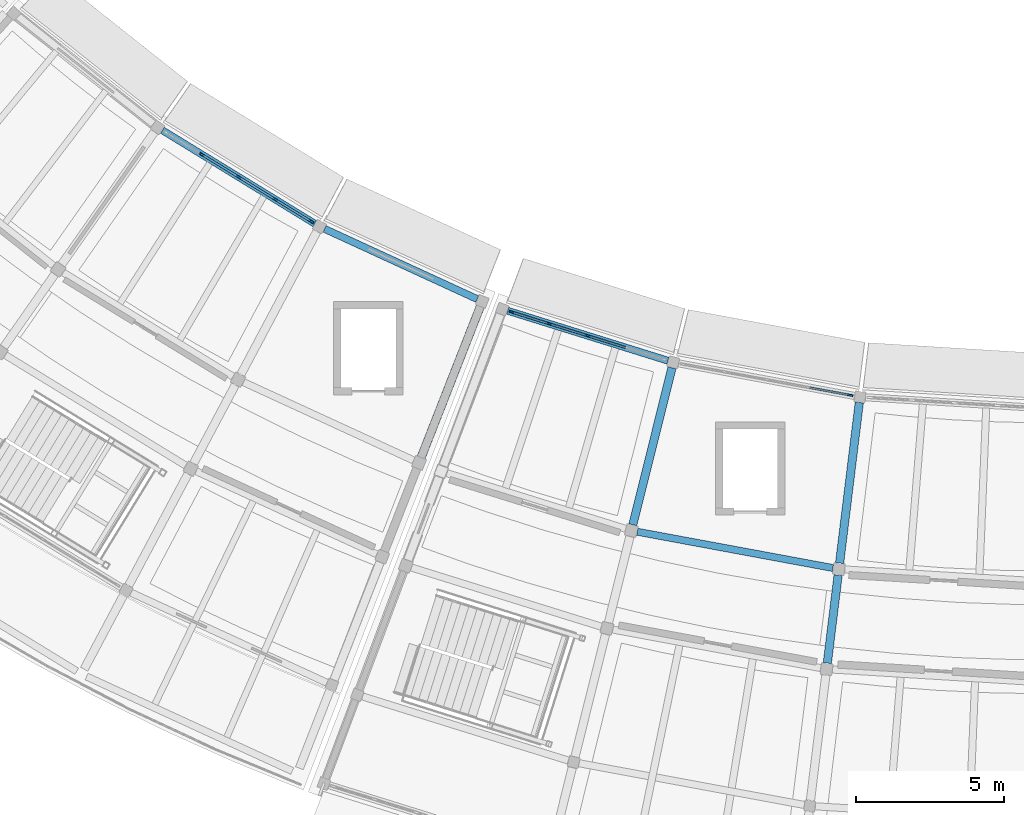
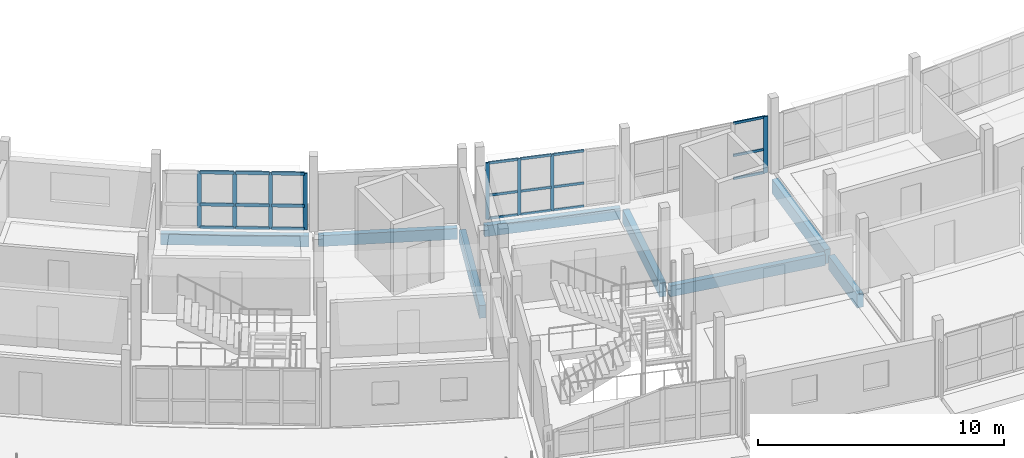
# One storey, part 12 of 36: 29 members, 8 beams, 3 elements without a shape of their own.
"""IFC4 building model written with IfcOpenShell, lengths in metres."""

import ifcopenshell
import ifcopenshell.guid

model = None  # the IFC model being written
_history = None  # IfcOwnerHistory: only IFC2X3 demands one
_inside = {}  # id of a spatial element -> (the spatial element, [elements in it])
_under = {}  # id of a project, library or spatial element -> (it, [spatial elements below it])
_declared = {}  # id of a project -> (the project, [libraries it declares])
_typed = {}  # id of a type object -> (the type object, [elements of that type])
_made_of = {}  # id of a material, layer set ... -> (it, [elements and type objects made of it])


def new_model(schema):
    """Start an empty IFC model of exactly this schema.

    Asked for "IFC4X3", IfcOpenShell would pick the latest addendum, in which some entities
    have other attributes; the version numbers below select the first issue.
    IFC2X3 requires an IfcOwnerHistory on every rooted entity: one is made here for all.
    """
    global model, _history
    if schema == "IFC4X3":
        model = ifcopenshell.file(schema_version=(4, 3, 0, 0))
    else:
        model = ifcopenshell.file(schema=schema)
    _inside.clear()
    _under.clear()
    _declared.clear()
    _typed.clear()
    _made_of.clear()
    _history = None
    if model.schema == "IFC2X3":
        org = make("IfcOrganization", Name="unknown")
        user = make(
            "IfcPersonAndOrganization",
            ThePerson=make("IfcPerson", FamilyName="unknown"),
            TheOrganization=org,
        )
        app = make(
            "IfcApplication",
            ApplicationDeveloper=org,
            Version="unknown",
            ApplicationFullName="unknown",
            ApplicationIdentifier="unknown",
        )
        _history = make(
            "IfcOwnerHistory",
            OwningUser=user,
            OwningApplication=app,
            ChangeAction="ADDED",
            CreationDate=0,
        )
    return model


def make(cls, **values):
    """One entity of the class cls with the attributes given. An attribute that is None is left unset."""
    return model.create_entity(
        cls, **{name: value for name, value in values.items() if value is not None}
    )


def rooted(cls, **values):
    """An entity with a GlobalId (a new one), such as an element, a storey or a relation."""
    return make(cls, GlobalId=ifcopenshell.guid.new(), OwnerHistory=_history, **values)


def si_unit(unit_type, name, prefix=None):
    """IfcSIUnit, for example si_unit("LENGTHUNIT", "METRE", prefix="MILLI")."""
    return make("IfcSIUnit", UnitType=unit_type, Prefix=prefix, Name=name)


def assignment(units):
    """IfcUnitAssignment: the units of a project."""
    return None if units is None else make("IfcUnitAssignment", Units=units)


def point(xyz):
    """IfcCartesianPoint."""
    return None if xyz is None else make("IfcCartesianPoint", Coordinates=xyz)


def direction(xyz):
    """IfcDirection."""
    return None if xyz is None else make("IfcDirection", DirectionRatios=xyz)


def frame(location, z_axis=None, x_axis=None):
    """IfcAxis2Placement3D, a coordinate frame: its origin and axes. An axis left out is left unset."""
    return make(
        "IfcAxis2Placement3D",
        Location=point(location),
        Axis=direction(z_axis),
        RefDirection=direction(x_axis),
    )


def frame_2d(location, x_axis=None):
    """IfcAxis2Placement2D, a coordinate frame in the plane: its origin and x axis."""
    return make(
        "IfcAxis2Placement2D", Location=point(location), RefDirection=direction(x_axis)
    )


def origin():
    """The frame at (0, 0, 0) with its axes left unset."""
    return frame((0.0, 0.0, 0.0))


def origin_2d():
    """The frame at (0, 0) in the plane with its x axis left unset."""
    return frame_2d((0.0, 0.0))


def place(relative_to, where):
    """IfcLocalPlacement: puts the frame where relative to a parent placement (None: the world)."""
    return make(
        "IfcLocalPlacement", PlacementRelTo=relative_to, RelativePlacement=where
    )


def context(
    kind, dimensions, precision=None, world=None, true_north=None, identifier=None
):
    """IfcGeometricRepresentationContext, for example the 3D "Model" context."""
    return make(
        "IfcGeometricRepresentationContext",
        ContextIdentifier=identifier,
        ContextType=kind,
        CoordinateSpaceDimension=dimensions,
        Precision=precision,
        WorldCoordinateSystem=world,
        TrueNorth=true_north,
    )


def subcontext(parent, identifier, kind, view, scale=None):
    """IfcGeometricRepresentationSubContext, for example "Body" below "Model"."""
    return make(
        "IfcGeometricRepresentationSubContext",
        ContextIdentifier=identifier,
        ContextType=kind,
        ParentContext=parent,
        TargetScale=scale,
        TargetView=view,
    )


def project(units=None, contexts=None):
    """IfcProject with its units and contexts."""
    return rooted(
        "IfcProject",
        Name="project",
        RepresentationContexts=contexts,
        UnitsInContext=assignment(units),
    )


def spatial(cls, under=None, at=None, **own):
    """A site, building, storey or space (cls), placed at a placement, below another one or the project."""
    s = rooted(cls, ObjectPlacement=at, **own)
    if under is not None:
        _under.setdefault(under.id(), (under, []))[1].append(s)
    return s


def profile(cls, at=None, kind="AREA", **sizes):
    """A parametric profile (cls). Its sizes go by their IFC names, for example OverallWidth=200.0."""
    return make(cls, ProfileType=kind, Position=at, **sizes)


def rectangle(**sizes):
    """IfcRectangleProfileDef."""
    return profile("IfcRectangleProfileDef", **sizes)


def extrude(swept, where, along, depth):
    """IfcExtrudedAreaSolid: the profile swept, set in the frame where, extruded along a direction by depth."""
    return make(
        "IfcExtrudedAreaSolid",
        SweptArea=swept,
        Position=where,
        ExtrudedDirection=direction(along),
        Depth=depth,
    )


def shape(context_of_items, identifier, shape_type, items):
    """IfcShapeRepresentation: the items that make up one representation, for example the "Body"."""
    return make(
        "IfcShapeRepresentation",
        ContextOfItems=context_of_items,
        RepresentationIdentifier=identifier,
        RepresentationType=shape_type,
        Items=items,
    )


def material(Name=None, Category=None):
    """IfcMaterial."""
    return make("IfcMaterial", Name=Name, Category=Category)


def layer(
    of_material, thickness, ventilated=None, Name=None, Category=None, Priority=None
):
    """IfcMaterialLayer: one layer of a wall or slab, of a material (None: an air gap)."""
    return make(
        "IfcMaterialLayer",
        Material=of_material,
        LayerThickness=thickness,
        IsVentilated=ventilated,
        Name=Name,
        Category=Category,
        Priority=Priority,
    )


def layer_set(layers, Name=None):
    """IfcMaterialLayerSet."""
    return make("IfcMaterialLayerSet", MaterialLayers=layers, LayerSetName=Name)


def material_profile(
    of_material, cross_section, Name=None, Category=None, Priority=None
):
    """IfcMaterialProfile: a cross section and its material."""
    return make(
        "IfcMaterialProfile",
        Name=Name,
        Material=of_material,
        Profile=cross_section,
        Priority=Priority,
        Category=Category,
    )


def profile_set(profiles, Name=None, composite=None):
    """IfcMaterialProfileSet."""
    return make(
        "IfcMaterialProfileSet",
        Name=Name,
        MaterialProfiles=profiles,
        CompositeProfile=composite,
    )


def made_of(thing, what):
    """Note that an element or type object is made of a material, layer set ...; save() writes the relation."""
    if what is not None:
        _made_of.setdefault(what.id(), (what, []))[1].append(thing)
    return thing


def type_object(cls, material=None, **own):
    """A type object (cls), such as IfcWallType, which elements share."""
    return made_of(rooted(cls, **own), material)


def element(
    cls,
    number,
    at=None,
    inside=None,
    cuts=None,
    type_object=None,
    material=None,
    context=None,
    identifier="Body",
    shape_type=None,
    held_by="IfcProductDefinitionShape",
    body=None,
    shapes=None,
    **own,
):
    """One element of the class cls, such as IfcWall. Its Tag is "e" and its number.

    at: its placement. inside: the storey or other place that contains it. cuts: it is an
    opening in that element (IfcRelVoidsElement). A single representation is given by context,
    identifier, shape_type and body (its items); several are given by shapes. held_by: the class
    of the entity that holds the representations. save() writes the other relations.
    """
    e = rooted(cls, Tag="e%d" % number, ObjectPlacement=at, **own)
    if body is not None:
        shapes = [shape(context, identifier, shape_type, body)]
    if shapes is not None:
        e.Representation = make(held_by, Representations=shapes)
    if inside is not None:
        _inside.setdefault(inside.id(), (inside, []))[1].append(e)
    if cuts is not None:
        rooted(
            "IfcRelVoidsElement", RelatingBuildingElement=cuts, RelatedOpeningElement=e
        )
    if type_object is not None:
        _typed.setdefault(type_object.id(), (type_object, []))[1].append(e)
    return made_of(e, material)


def aggregate(whole, parts):
    """IfcRelAggregates: a whole, such as a stair, and the parts it consists of."""
    return rooted("IfcRelAggregates", RelatingObject=whole, RelatedObjects=parts)


def save(model, path):
    """Write the relations noted so far, then the file.

    IfcRelAggregates (storeys below a building ...), IfcRelContainedInSpatialStructure (elements
    in a storey), IfcRelDefinesByType, IfcRelAssociatesMaterial and IfcRelDeclares: one each for
    every whole, place, type object, material and project.
    """
    for whole, parts in _under.values():
        aggregate(whole, parts)
    for where, things in _inside.values():
        rooted(
            "IfcRelContainedInSpatialStructure",
            RelatedElements=things,
            RelatingStructure=where,
        )
    for kind, things in _typed.values():
        rooted("IfcRelDefinesByType", RelatedObjects=things, RelatingType=kind)
    for what, things in _made_of.values():
        rooted("IfcRelAssociatesMaterial", RelatedObjects=things, RelatingMaterial=what)
    for by, libraries in _declared.values():
        rooted("IfcRelDeclares", RelatingContext=by, RelatedDefinitions=libraries)
    model.write(path)


model = new_model("IFC4")

# Units and contexts
model_context = context("Model", 3, precision=1e-05, world=origin(), true_north=direction((0.0, 1.0)))
body_context = subcontext(model_context, "Body", "Model", "MODEL_VIEW")
ifc_project = project(units=[si_unit("LENGTHUNIT", "METRE"), si_unit("AREAUNIT", "SQUARE_METRE"), si_unit("VOLUMEUNIT", "CUBIC_METRE"), si_unit("PLANEANGLEUNIT", "RADIAN"), si_unit("MASSUNIT", "GRAM", prefix="KILO")], contexts=[model_context])

# Site, building, storey
site_placement = place(None, origin())
site = spatial("IfcSite", under=ifc_project, at=site_placement, CompositionType="ELEMENT")
building_placement = place(site_placement, origin())
building = spatial("IfcBuilding", under=site, at=building_placement, Name="Caldaven Crescent School", CompositionType="ELEMENT")
storey_placement = place(building_placement, frame((0.0, 0.0, 11.89990234375)))
storey = spatial("IfcBuildingStorey", under=building, at=storey_placement, Name="L03", CompositionType="ELEMENT", Elevation=11.89990234375)

# Beams
ifc_material_1 = material(Name="Glulam MLE24h (GL28h)", Category="wood")
ifc_material_profile_1 = material_profile(ifc_material_1, rectangle(XDim=0.239990234375, YDim=0.5400390625, at=origin_2d()), Name="MLE 240x540")
ifc_profile_set_1 = profile_set([ifc_material_profile_1], Name="Glulam MLE24h (GL28h)")
beam_type_1 = type_object("IfcBeamType", Name="BM-GL54", PredefinedType="BEAM", material=ifc_profile_set_1)
beam_1_placement = place(storey_placement, frame((74.097412109375, 39.394287109375, -0.52001953125), z_axis=(0.983256896328, -0.182224794756, 0.0), x_axis=(0.182224794756, 0.983256896328, 0.0)))
element("IfcBeam", 1, at=beam_1_placement, inside=storey, type_object=beam_type_1, Name="BMT-V5-L03-1428", PredefinedType="BEAM", context=body_context, shape_type="SweptSolid", body=[
    extrude(rectangle(XDim=0.239990234375, YDim=0.5400390625, at=origin_2d()), origin(), (0.0, 0.0, 1.0), 6.708251953125),
])
ifc_material_profile_2 = material_profile(ifc_material_1, rectangle(XDim=0.280029296875, YDim=0.6298828125, at=origin_2d()), Name="MLE 280x630")
ifc_profile_set_2 = profile_set([ifc_material_profile_2], Name="Glulam MLE24h (GL28h)")
beam_type_2 = type_object("IfcBeamType", Name="BM-GL63", PredefinedType="BEAM", material=ifc_profile_set_2)
beam_2_placement = place(storey_placement, frame((68.797607421875, 46.9873046875, -0.56494140625), z_axis=(-0.364799249955, -0.931086197531, 0.0), x_axis=(0.931086197531, -0.364799249955, 0.0)))
element("IfcBeam", 2, at=beam_2_placement, inside=storey, type_object=beam_type_2, Name="BMR-V4W-L03-1356", PredefinedType="BEAM", context=body_context, shape_type="SweptSolid", body=[
    extrude(rectangle(XDim=0.280029296875, YDim=0.6298828125, at=origin_2d()), origin(), (0.0, 0.0, 1.0), 5.455078125),
])
ifc_material_profile_3 = material_profile(ifc_material_1, rectangle(XDim=0.280029296875, YDim=0.68994140625, at=origin_2d()), Name="MLE 280x690")
ifc_profile_set_3 = profile_set([ifc_material_profile_3], Name="Glulam MLE24h (GL28h)")
beam_type_3 = type_object("IfcBeamType", Name="BM-GL69", PredefinedType="BEAM", material=ifc_profile_set_3)
for number, where, z_axis, x_axis, name in (
    (3, (75.26513671875, 44.923583984375, -0.594970703125), (-0.241903730583, -0.970300255143, 0.0), (0.970300255143, -0.241903730583, 0.0), "BMR-V5-L03-1396"),
    (4, (81.584716796875, 43.75244140625, -0.594970703125), (-0.121869642909, -0.992546114867, 0.0), (0.992546114867, -0.121869642909, 0.0), "BMR-V5-L03-1400"),
):
    element("IfcBeam", number, at=place(storey_placement, frame(where, z_axis=z_axis, x_axis=x_axis)), inside=storey, type_object=beam_type_3, Name=name, PredefinedType="BEAM", context=body_context, shape_type="SweptSolid", body=[
        extrude(rectangle(XDim=0.280029296875, YDim=0.68994140625, at=origin_2d()), origin(), (0.0, 0.0, 1.0), 5.455078125),
    ])
beam_3_placement = place(storey_placement, frame((80.8701171875, 37.93115234375, -0.594970703125), z_axis=(-0.121904002134, -0.99254189547, 0.0), x_axis=(0.99254189547, -0.121904002134, 0.0)))
element("IfcBeam", 5, at=beam_3_placement, inside=storey, type_object=beam_type_3, Name="BMR-V5-L03-1401", PredefinedType="BEAM", context=body_context, shape_type="SweptSolid", body=[
    extrude(rectangle(XDim=0.280029296875, YDim=0.68994140625, at=origin_2d()), origin(), (0.0, 0.0, 1.0), 2.989990234375),
])

# Curtain wall, members
ifc_material_2 = material(Name="Anodised aluminium AA 6063-T6 and low-E double glazing", Category="aluminium")
ifc_layer_1 = layer(ifc_material_2, 0.2099609375)
ifc_layer_set_1 = layer_set([ifc_layer_1], Name="Anodised aluminium AA 6063-T6 and low-E double glazing")
curtain_wall_type_1 = type_object("IfcCurtainWallType", Name="CW-SYS3", PredefinedType="NOTDEFINED", material=ifc_layer_set_1)
curtain_wall_1_placement = place(storey_placement, origin())
curtain_wall_1 = element("IfcCurtainWall", 6, at=curtain_wall_1_placement, inside=storey, type_object=curtain_wall_type_1, Name="CW-L03-155", PredefinedType="NOTDEFINED")
ifc_material_3 = material(Name="Anodised aluminium AA 6063-T6", Category="aluminium")
ifc_material_profile_4 = material_profile(ifc_material_3, rectangle(XDim=0.06005859375, YDim=0.14990234375, at=origin_2d()), Name="CWM 60x150")
ifc_profile_set_4 = profile_set([ifc_material_profile_4], Name="Anodised aluminium AA 6063-T6")
member_type_1 = type_object("IfcMemberType", Name="CWM-T1", PredefinedType="MULLION", material=ifc_profile_set_4)
member_1_placement = place(storey_placement, frame((69.856201171875, 46.807373046875, 0.0), z_axis=(0.0, 0.0, 1.0), x_axis=(0.297419758694, 0.954746818344, 0.0)))
member_1 = element("IfcMember", 7, at=member_1_placement, type_object=member_type_1, Name="CW3 mullion 1", PredefinedType="MULLION", context=body_context, shape_type="SweptSolid", body=[
    extrude(rectangle(XDim=0.06005859375, YDim=0.14990234375, at=origin_2d()), origin(), (0.0, 0.0, 1.0), 2.800048828125),
])
member_2_placement = place(storey_placement, frame((71.126953125, 46.411376953125, 0.0), z_axis=(0.0, 0.0, 1.0), x_axis=(0.297419758694, 0.954746818344, 0.0)))
member_2 = element("IfcMember", 8, at=member_2_placement, type_object=member_type_1, Name="CW3 mullion 2", PredefinedType="MULLION", context=body_context, shape_type="SweptSolid", body=[
    extrude(rectangle(XDim=0.06005859375, YDim=0.14990234375, at=origin_2d()), origin(), (0.0, 0.0, 1.0), 2.800048828125),
])
member_3_placement = place(storey_placement, frame((72.42626953125, 46.0068359375, 0.0), z_axis=(0.0, 0.0, 1.0), x_axis=(0.297419758694, 0.954746818344, 0.0)))
member_3 = element("IfcMember", 9, at=member_3_placement, type_object=member_type_1, Name="CW3 mullion 3", PredefinedType="MULLION", context=body_context, shape_type="SweptSolid", body=[
    extrude(rectangle(XDim=0.06005859375, YDim=0.14990234375, at=origin_2d()), origin(), (0.0, 0.0, 1.0), 2.800048828125),
])

ifc_layer_2 = layer(ifc_material_2, 0.169921875)
ifc_layer_set_2 = layer_set([ifc_layer_2], Name="Anodised aluminium AA 6063-T6 and low-E double glazing")
curtain_wall_type_2 = type_object("IfcCurtainWallType", Name="CW-SYS1", PredefinedType="NOTDEFINED", material=ifc_layer_set_2)
curtain_wall_2_placement = place(storey_placement, origin())
curtain_wall_2 = element("IfcCurtainWall", 10, at=curtain_wall_2_placement, inside=storey, type_object=curtain_wall_type_2, Name="CW-L03-153", PredefinedType="NOTDEFINED")
ifc_material_profile_5 = material_profile(ifc_material_3, rectangle(XDim=0.06494140625, YDim=0.179931640625, at=origin_2d()), Name="CWM 65x180")
ifc_profile_set_5 = profile_set([ifc_material_profile_5], Name="Anodised aluminium AA 6063-T6")
member_type_2 = type_object("IfcMemberType", Name="CWM-T2", PredefinedType="MULLION", material=ifc_profile_set_5)
member_4_placement = place(storey_placement, frame((59.408935546875, 52.12060546875, 0.0), z_axis=(0.0, 0.0, 1.0), x_axis=(0.522499392879, 0.852639656854, 0.0)))
member_4 = element("IfcMember", 11, at=member_4_placement, type_object=member_type_2, Name="CW1 mullion 2", PredefinedType="MULLION", context=body_context, shape_type="SweptSolid", body=[
    extrude(rectangle(XDim=0.06494140625, YDim=0.179931640625, at=origin_2d()), origin(), (0.0, 0.0, 1.0), 2.800048828125),
])
member_5_placement = place(storey_placement, frame((60.64599609375, 51.362548828125, 0.0), z_axis=(0.0, 0.0, 1.0), x_axis=(0.522499392879, 0.852639656854, 0.0)))
member_5 = element("IfcMember", 12, at=member_5_placement, type_object=member_type_2, Name="CW1 mullion 3", PredefinedType="MULLION", context=body_context, shape_type="SweptSolid", body=[
    extrude(rectangle(XDim=0.06494140625, YDim=0.179931640625, at=origin_2d()), origin(), (0.0, 0.0, 1.0), 2.800048828125),
])
member_6_placement = place(storey_placement, frame((61.88330078125, 50.604248046875, 0.0), z_axis=(0.0, 0.0, 1.0), x_axis=(0.522499392879, 0.852639656854, 0.0)))
member_6 = element("IfcMember", 13, at=member_6_placement, type_object=member_type_2, Name="CW1 mullion 4", PredefinedType="MULLION", context=body_context, shape_type="SweptSolid", body=[
    extrude(rectangle(XDim=0.06494140625, YDim=0.179931640625, at=origin_2d()), origin(), (0.0, 0.0, 1.0), 2.800048828125),
])
member_7_placement = place(storey_placement, frame((63.0927734375, 49.863037109375, 0.0), z_axis=(0.0, 0.0, 1.0), x_axis=(0.522499392879, 0.852639656854, 0.0)))
member_7 = element("IfcMember", 14, at=member_7_placement, type_object=member_type_2, Name="CW1 mullion 5", PredefinedType="MULLION", context=body_context, shape_type="SweptSolid", body=[
    extrude(rectangle(XDim=0.06494140625, YDim=0.179931640625, at=origin_2d()), origin(), (0.0, 0.0, 1.0), 2.800048828125),
])

# Curtain wall, member
ifc_layer_3 = layer(ifc_material_2, 0.22998046875)
ifc_layer_set_3 = layer_set([ifc_layer_3], Name="Anodised aluminium AA 6063-T6 and low-E double glazing")
curtain_wall_type_3 = type_object("IfcCurtainWallType", Name="CW-SYS4", PredefinedType="NOTDEFINED", material=ifc_layer_set_3)
curtain_wall_3_placement = place(storey_placement, origin())
curtain_wall_3 = element("IfcCurtainWall", 15, at=curtain_wall_3_placement, inside=storey, type_object=curtain_wall_type_3, Name="CW-L03-157", PredefinedType="NOTDEFINED")
member_8_placement = place(storey_placement, frame((81.281005859375, 44.00146484375, 0.0), z_axis=(0.0, 0.0, 1.0), x_axis=(0.182236405836, 0.983254744401, 0.0)))
member_8 = element("IfcMember", 16, at=member_8_placement, type_object=member_type_2, Name="CW4 mullion 5", PredefinedType="MULLION", context=body_context, shape_type="SweptSolid", body=[
    extrude(rectangle(XDim=0.06494140625, YDim=0.179931640625, at=origin_2d()), origin(), (0.0, 0.0, 1.0), 2.800048828125),
])

# Member
ifc_material_profile_6 = material_profile(ifc_material_3, rectangle(XDim=0.06005859375, YDim=0.1201171875, at=origin_2d()), Name="CWT 60x120")
ifc_profile_set_6 = profile_set([ifc_material_profile_6], Name="Anodised aluminium AA 6063-T6")
member_type_3 = type_object("IfcMemberType", Name="CWT-T1", PredefinedType="USERDEFINED", material=ifc_profile_set_6)
member_9_placement = place(storey_placement, frame((69.885009765625, 46.79833984375, 0.030029296875), z_axis=(0.954742858381, -0.29743247027, 0.0), x_axis=(0.29743247027, 0.954742858381, 0.0)))
member_9 = element("IfcMember", 17, at=member_9_placement, type_object=member_type_3, Name="CW3 transom 1.1", ObjectType="TRANSOM", PredefinedType="USERDEFINED", context=body_context, shape_type="SweptSolid", body=[
    extrude(rectangle(XDim=0.06005859375, YDim=0.1201171875, at=origin_2d()), origin(), (0.0, 0.0, 1.0), 1.270751953125),
])

member_10_placement = place(storey_placement, frame((69.885009765625, 46.79833984375, 1.176025390625), z_axis=(0.954742858381, -0.29743247027, 0.0), x_axis=(0.29743247027, 0.954742858381, 0.0)))
member_10 = element("IfcMember", 18, at=member_10_placement, type_object=member_type_3, Name="CW3 transom 1.2", ObjectType="TRANSOM", PredefinedType="USERDEFINED", context=body_context, shape_type="SweptSolid", body=[
    extrude(rectangle(XDim=0.06005859375, YDim=0.1201171875, at=origin_2d()), origin(), (0.0, 0.0, 1.0), 1.270751953125),
])

member_11_placement = place(storey_placement, frame((69.885009765625, 46.79833984375, 2.77001953125), z_axis=(0.954742858381, -0.29743247027, 0.0), x_axis=(0.29743247027, 0.954742858381, 0.0)))
member_11 = element("IfcMember", 19, at=member_11_placement, type_object=member_type_3, Name="CW3 transom 1.3", ObjectType="TRANSOM", PredefinedType="USERDEFINED", context=body_context, shape_type="SweptSolid", body=[
    extrude(rectangle(XDim=0.06005859375, YDim=0.1201171875, at=origin_2d()), origin(), (0.0, 0.0, 1.0), 1.270751953125),
])

member_12_placement = place(storey_placement, frame((71.155517578125, 46.402587890625, 0.030029296875), z_axis=(0.954730104674, -0.297473405919, 0.0), x_axis=(0.297473405919, 0.954730104674, 0.0)))
member_12 = element("IfcMember", 20, at=member_12_placement, type_object=member_type_3, Name="CW3 transom 2.1", ObjectType="TRANSOM", PredefinedType="USERDEFINED", context=body_context, shape_type="SweptSolid", body=[
    extrude(rectangle(XDim=0.06005859375, YDim=0.1201171875, at=origin_2d()), origin(), (0.0, 0.0, 1.0), 1.30078125),
])

member_13_placement = place(storey_placement, frame((71.155517578125, 46.402587890625, 1.176025390625), z_axis=(0.954730104674, -0.297473405919, 0.0), x_axis=(0.297473405919, 0.954730104674, 0.0)))
member_13 = element("IfcMember", 21, at=member_13_placement, type_object=member_type_3, Name="CW3 transom 2.2", ObjectType="TRANSOM", PredefinedType="USERDEFINED", context=body_context, shape_type="SweptSolid", body=[
    extrude(rectangle(XDim=0.06005859375, YDim=0.1201171875, at=origin_2d()), origin(), (0.0, 0.0, 1.0), 1.30078125),
])

member_14_placement = place(storey_placement, frame((71.155517578125, 46.402587890625, 2.77001953125), z_axis=(0.954730104674, -0.297473405919, 0.0), x_axis=(0.297473405919, 0.954730104674, 0.0)))
member_14 = element("IfcMember", 22, at=member_14_placement, type_object=member_type_3, Name="CW3 transom 2.3", ObjectType="TRANSOM", PredefinedType="USERDEFINED", context=body_context, shape_type="SweptSolid", body=[
    extrude(rectangle(XDim=0.06005859375, YDim=0.1201171875, at=origin_2d()), origin(), (0.0, 0.0, 1.0), 1.30078125),
])

member_15_placement = place(storey_placement, frame((72.454833984375, 45.997802734375, 0.030029296875), z_axis=(0.954730104674, -0.297473405919, 0.0), x_axis=(0.297473405919, 0.954730104674, 0.0)))
member_15 = element("IfcMember", 23, at=member_15_placement, type_object=member_type_3, Name="CW3 transom 3.1", ObjectType="TRANSOM", PredefinedType="USERDEFINED", context=body_context, shape_type="SweptSolid", body=[
    extrude(rectangle(XDim=0.06005859375, YDim=0.1201171875, at=origin_2d()), origin(), (0.0, 0.0, 1.0), 1.30078125),
])

member_16_placement = place(storey_placement, frame((72.454833984375, 45.997802734375, 1.176025390625), z_axis=(0.954730104674, -0.297473405919, 0.0), x_axis=(0.297473405919, 0.954730104674, 0.0)))
member_16 = element("IfcMember", 24, at=member_16_placement, type_object=member_type_3, Name="CW3 transom 3.2", ObjectType="TRANSOM", PredefinedType="USERDEFINED", context=body_context, shape_type="SweptSolid", body=[
    extrude(rectangle(XDim=0.06005859375, YDim=0.1201171875, at=origin_2d()), origin(), (0.0, 0.0, 1.0), 1.30078125),
])

member_17_placement = place(storey_placement, frame((72.454833984375, 45.997802734375, 2.77001953125), z_axis=(0.954730104674, -0.297473405919, 0.0), x_axis=(0.297473405919, 0.954730104674, 0.0)))
member_17 = element("IfcMember", 25, at=member_17_placement, type_object=member_type_3, Name="CW3 transom 3.3", ObjectType="TRANSOM", PredefinedType="USERDEFINED", context=body_context, shape_type="SweptSolid", body=[
    extrude(rectangle(XDim=0.06005859375, YDim=0.1201171875, at=origin_2d()), origin(), (0.0, 0.0, 1.0), 1.30078125),
])

aggregate(curtain_wall_1, [member_1, member_2, member_3, member_9, member_10, member_11, member_12, member_13, member_14, member_15, member_16, member_17])

member_18_placement = place(storey_placement, frame((79.918212890625, 44.254150390625, 0.030029296875), z_axis=(0.983264057672, -0.182186149009, 0.0), x_axis=(0.182186149009, 0.983264057672, 0.0)))
member_18 = element("IfcMember", 26, at=member_18_placement, type_object=member_type_3, Name="CW4 transom 4.1", ObjectType="TRANSOM", PredefinedType="USERDEFINED", context=body_context, shape_type="SweptSolid", body=[
    extrude(rectangle(XDim=0.06005859375, YDim=0.1201171875, at=origin_2d()), origin(), (0.0, 0.0, 1.0), 1.353515625),
])

member_19_placement = place(storey_placement, frame((79.918212890625, 44.254150390625, 1.176025390625), z_axis=(0.983264057672, -0.182186149009, 0.0), x_axis=(0.182186149009, 0.983264057672, 0.0)))
member_19 = element("IfcMember", 27, at=member_19_placement, type_object=member_type_3, Name="CW4 transom 4.2", ObjectType="TRANSOM", PredefinedType="USERDEFINED", context=body_context, shape_type="SweptSolid", body=[
    extrude(rectangle(XDim=0.06005859375, YDim=0.1201171875, at=origin_2d()), origin(), (0.0, 0.0, 1.0), 1.353515625),
])

member_20_placement = place(storey_placement, frame((79.918212890625, 44.254150390625, 2.77001953125), z_axis=(0.983264057672, -0.182186149009, 0.0), x_axis=(0.182186149009, 0.983264057672, 0.0)))
member_20 = element("IfcMember", 28, at=member_20_placement, type_object=member_type_3, Name="CW4 transom 4.3", ObjectType="TRANSOM", PredefinedType="USERDEFINED", context=body_context, shape_type="SweptSolid", body=[
    extrude(rectangle(XDim=0.06005859375, YDim=0.1201171875, at=origin_2d()), origin(), (0.0, 0.0, 1.0), 1.353515625),
])

aggregate(curtain_wall_3, [member_8, member_18, member_19, member_20])

ifc_material_profile_7 = material_profile(ifc_material_3, rectangle(XDim=0.070068359375, YDim=0.159912109375, at=origin_2d()), Name="CWT 70x160")
ifc_profile_set_7 = profile_set([ifc_material_profile_7], Name="Anodised aluminium AA 6063-T6")
member_type_4 = type_object("IfcMemberType", Name="CWT-T3", PredefinedType="USERDEFINED", material=ifc_profile_set_7)
member_21_placement = place(storey_placement, frame((59.4365234375, 52.103515625, 0.03515625), z_axis=(0.852684780563, -0.522425750702, 0.0), x_axis=(0.522425750702, 0.852684780563, 0.0)))
member_21 = element("IfcMember", 29, at=member_21_placement, type_object=member_type_4, Name="CW1 transom 2.1", ObjectType="TRANSOM", PredefinedType="USERDEFINED", context=body_context, shape_type="SweptSolid", body=[
    extrude(rectangle(XDim=0.070068359375, YDim=0.159912109375, at=origin_2d()), origin(), (0.0, 0.0, 1.0), 1.385986328125),
])

member_22_placement = place(storey_placement, frame((59.4365234375, 52.103515625, 1.176025390625), z_axis=(0.852684780563, -0.522425750702, 0.0), x_axis=(0.522425750702, 0.852684780563, 0.0)))
member_22 = element("IfcMember", 30, at=member_22_placement, type_object=member_type_4, Name="CW1 transom 2.2", ObjectType="TRANSOM", PredefinedType="USERDEFINED", context=body_context, shape_type="SweptSolid", body=[
    extrude(rectangle(XDim=0.070068359375, YDim=0.159912109375, at=origin_2d()), origin(), (0.0, 0.0, 1.0), 1.385986328125),
])

member_23_placement = place(storey_placement, frame((59.4365234375, 52.103515625, 2.76513671875), z_axis=(0.852684780563, -0.522425750702, 0.0), x_axis=(0.522425750702, 0.852684780563, 0.0)))
member_23 = element("IfcMember", 31, at=member_23_placement, type_object=member_type_4, Name="CW1 transom 2.3", ObjectType="TRANSOM", PredefinedType="USERDEFINED", context=body_context, shape_type="SweptSolid", body=[
    extrude(rectangle(XDim=0.070068359375, YDim=0.159912109375, at=origin_2d()), origin(), (0.0, 0.0, 1.0), 1.385986328125),
])

member_24_placement = place(storey_placement, frame((60.673828125, 51.345458984375, 0.03515625), z_axis=(0.852636696581, -0.522504223566, 0.0), x_axis=(0.522504223566, 0.852636696581, 0.0)))
member_24 = element("IfcMember", 32, at=member_24_placement, type_object=member_type_4, Name="CW1 transom 3.1", ObjectType="TRANSOM", PredefinedType="USERDEFINED", context=body_context, shape_type="SweptSolid", body=[
    extrude(rectangle(XDim=0.070068359375, YDim=0.159912109375, at=origin_2d()), origin(), (0.0, 0.0, 1.0), 1.385986328125),
])

member_25_placement = place(storey_placement, frame((60.673828125, 51.345458984375, 1.176025390625), z_axis=(0.852636696581, -0.522504223566, 0.0), x_axis=(0.522504223566, 0.852636696581, 0.0)))
member_25 = element("IfcMember", 33, at=member_25_placement, type_object=member_type_4, Name="CW1 transom 3.2", ObjectType="TRANSOM", PredefinedType="USERDEFINED", context=body_context, shape_type="SweptSolid", body=[
    extrude(rectangle(XDim=0.070068359375, YDim=0.159912109375, at=origin_2d()), origin(), (0.0, 0.0, 1.0), 1.385986328125),
])

member_26_placement = place(storey_placement, frame((60.673828125, 51.345458984375, 2.76513671875), z_axis=(0.852636696581, -0.522504223566, 0.0), x_axis=(0.522504223566, 0.852636696581, 0.0)))
member_26 = element("IfcMember", 34, at=member_26_placement, type_object=member_type_4, Name="CW1 transom 3.3", ObjectType="TRANSOM", PredefinedType="USERDEFINED", context=body_context, shape_type="SweptSolid", body=[
    extrude(rectangle(XDim=0.070068359375, YDim=0.159912109375, at=origin_2d()), origin(), (0.0, 0.0, 1.0), 1.385986328125),
])

member_27_placement = place(storey_placement, frame((61.910888671875, 50.58740234375, 0.03515625), z_axis=(0.852616806019, -0.522536680143, 0.0), x_axis=(0.522536680143, 0.852616806019, 0.0)))
member_27 = element("IfcMember", 35, at=member_27_placement, type_object=member_type_4, Name="CW1 transom 4.1", ObjectType="TRANSOM", PredefinedType="USERDEFINED", context=body_context, shape_type="SweptSolid", body=[
    extrude(rectangle(XDim=0.070068359375, YDim=0.159912109375, at=origin_2d()), origin(), (0.0, 0.0, 1.0), 1.353515625),
])

member_28_placement = place(storey_placement, frame((61.910888671875, 50.58740234375, 1.176025390625), z_axis=(0.852616806019, -0.522536680143, 0.0), x_axis=(0.522536680143, 0.852616806019, 0.0)))
member_28 = element("IfcMember", 36, at=member_28_placement, type_object=member_type_4, Name="CW1 transom 4.2", ObjectType="TRANSOM", PredefinedType="USERDEFINED", context=body_context, shape_type="SweptSolid", body=[
    extrude(rectangle(XDim=0.070068359375, YDim=0.159912109375, at=origin_2d()), origin(), (0.0, 0.0, 1.0), 1.353515625),
])

member_29_placement = place(storey_placement, frame((61.910888671875, 50.58740234375, 2.76513671875), z_axis=(0.852616806019, -0.522536680143, 0.0), x_axis=(0.522536680143, 0.852616806019, 0.0)))
member_29 = element("IfcMember", 37, at=member_29_placement, type_object=member_type_4, Name="CW1 transom 4.3", ObjectType="TRANSOM", PredefinedType="USERDEFINED", context=body_context, shape_type="SweptSolid", body=[
    extrude(rectangle(XDim=0.070068359375, YDim=0.159912109375, at=origin_2d()), origin(), (0.0, 0.0, 1.0), 1.353515625),
])

aggregate(curtain_wall_2, [member_4, member_5, member_6, member_7, member_21, member_22, member_23, member_24, member_25, member_26, member_27, member_28, member_29])

# Beams
ifc_material_profile_8 = material_profile(ifc_material_1, rectangle(XDim=0.239990234375, YDim=0.5400390625, at=origin_2d()), Name="MLE 240x540")
ifc_profile_set_8 = profile_set([ifc_material_profile_8], Name="Glulam MLE24h (GL28h)")
beam_type_4 = type_object("IfcBeamType", Name="SP-GL54", PredefinedType="SPANDREL", material=ifc_profile_set_8)
beam_4_placement = place(storey_placement, frame((58.077880859375, 52.936279296875, -0.52001953125), z_axis=(0.852623968023, -0.522524993807, 0.0), x_axis=(0.522524993807, 0.852623968023, 0.0)))
element("IfcBeam", 38, at=beam_4_placement, inside=storey, type_object=beam_type_4, Name="BMT-V4W-L03-1378", PredefinedType="SPANDREL", context=body_context, shape_type="SweptSolid", body=[
    extrude(rectangle(XDim=0.239990234375, YDim=0.5400390625, at=origin_2d()), origin(), (0.0, 0.0, 1.0), 6.02392578125),
])
for number, where, z_axis, x_axis, name in (
    (39, (63.548828125, 49.610107421875, -0.52001953125), (0.908522527623, -0.417835873043, 0.0), (0.417835873043, 0.908522527623, 0.0), "BMT-V4W-L03-1385"),
    (40, (69.72265625, 46.848876953125, -0.52001953125), (0.954752645565, -0.297401052093, 0.0), (0.297401052093, 0.954752645565, 0.0), "BMT-V5-L03-1420"),
):
    element("IfcBeam", number, at=place(storey_placement, frame(where, z_axis=z_axis, x_axis=x_axis)), inside=storey, type_object=beam_type_4, Name=name, PredefinedType="SPANDREL", context=body_context, shape_type="SweptSolid", body=[
        extrude(rectangle(XDim=0.239990234375, YDim=0.5400390625, at=origin_2d()), origin(), (0.0, 0.0, 1.0), 5.66357421875),
    ])

save(model, "model.ifc")
